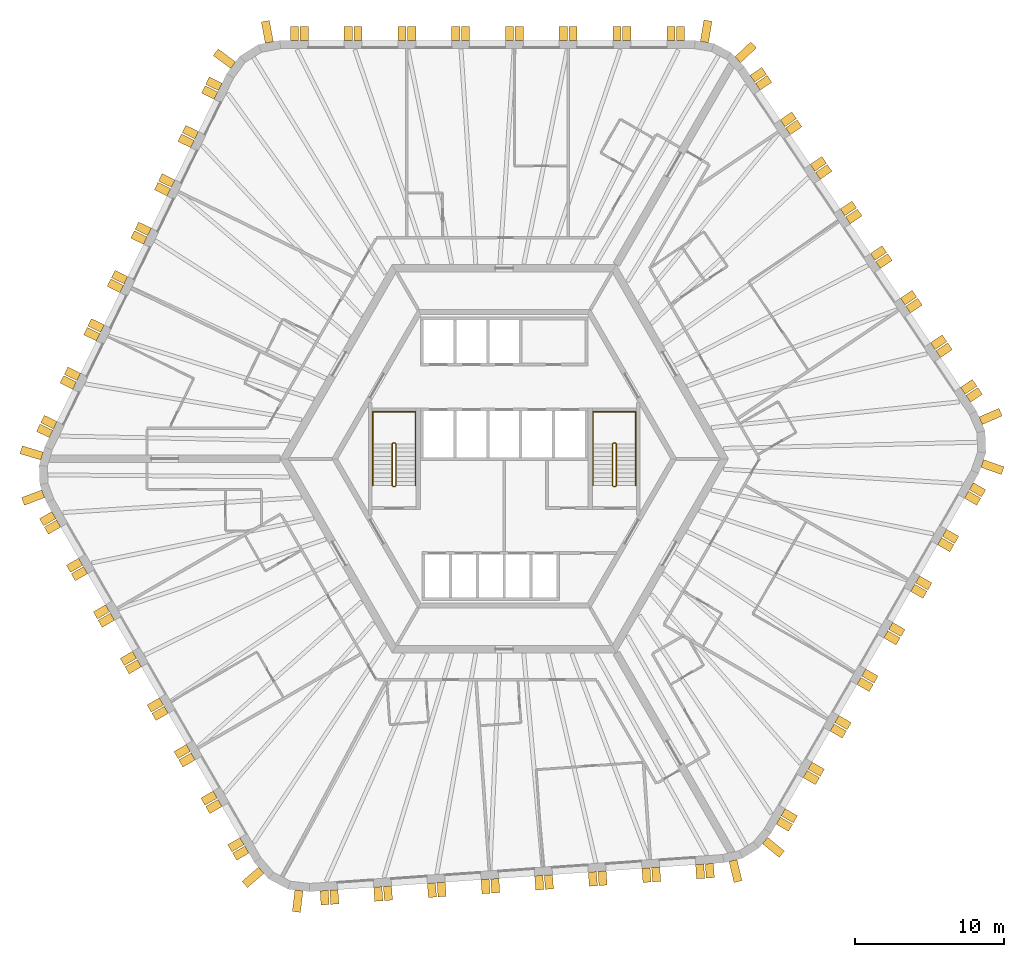
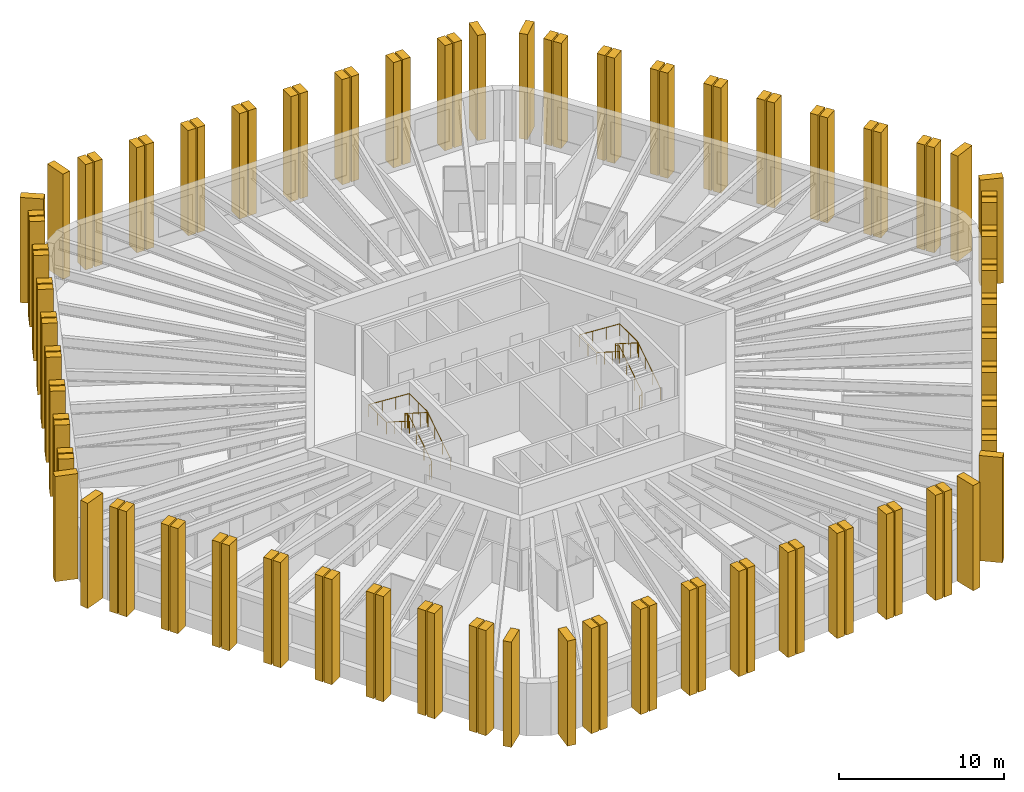
# One storey, part 10 of 10: 108 shading devices, 4 railings.
"""IFC4 building model written with IfcOpenShell, lengths in metres."""

from ifc_helpers import new_model, si_unit, direction, frame, origin, origin_2d, place, context, subcontext, project, spatial, polyline, circle, outline, extrude, material, layer, layer_set, type_object, element, save


model = new_model("IFC4")

# Units and contexts
model_context = context("Model", 3, precision=1e-05, world=origin(), true_north=direction((0.0, 1.0)))
body_context = subcontext(model_context, "Body", "Model", "MODEL_VIEW")
ifc_project = project(units=[si_unit("LENGTHUNIT", "METRE"), si_unit("AREAUNIT", "SQUARE_METRE"), si_unit("VOLUMEUNIT", "CUBIC_METRE"), si_unit("PLANEANGLEUNIT", "RADIAN"), si_unit("MASSUNIT", "GRAM", prefix="KILO")], contexts=[model_context])

# Site, building, storey
site_placement = place(None, origin())
site = spatial("IfcSite", under=ifc_project, at=site_placement, CompositionType="ELEMENT")
building_placement = place(site_placement, origin())
building = spatial("IfcBuilding", under=site, at=building_placement, Name="Tarnside Tower", CompositionType="ELEMENT")
storey_placement = place(building_placement, frame((0.0, 0.0, 176.10009765625)))
storey = spatial("IfcBuildingStorey", under=building, at=storey_placement, Name="L41", CompositionType="ELEMENT", Elevation=176.10009765625)

# Shading devices
ifc_material_1 = material(Name="Concrete C50/60 white precast", Category="concrete")
ifc_layer_1 = layer(ifc_material_1, 0.550048828125)
ifc_layer_set_1 = layer_set([ifc_layer_1], Name="Precast fin 550 x 1450")
shading_device_type_1 = type_object("IfcShadingDeviceType", Name="Precast fin 550 x 1450", PredefinedType="USERDEFINED", material=ifc_layer_set_1)
for number, where, z_axis, x_axis, name in (
    (1, (-15.725341796875, 27.86767578125, -0.150146484375), (0.982720646705, 0.18509492305, 0.0), (-0.18509492305, 0.982720646705, 0.0), "Precast fin"),
    (2, (-18.15380859375, 26.35009765625, -0.150146484375), (0.597158591707, 0.802123192752, 0.0), (-0.802123192752, 0.597158591707, 0.0), "Precast fin"),
    (3, (-30.949951171875, 0.184326171875, -0.150146484375), (0.286803232717, 0.957989512314, 0.0), (-0.957989512314, 0.286803232717, 0.0), "Precast fin"),
    (4, (-30.861572265625, -2.343017578125, -0.150146484375), (-0.352930564719, 0.935649515837, 0.0), (-0.935649515837, -0.352930564719, 0.0), "Precast fin"),
    (5, (-16.271484375, -27.55224609375, -0.150146484375), (-0.651657228826, 0.758513583345, 0.0), (-0.758513583345, -0.651657228826, 0.0), "Precast fin"),
    (6, (-13.7431640625, -28.896728515625, -0.150146484375), (-0.993238357741, 0.116092914131, 0.0), (-0.116092914131, -0.993238357741, 0.0), "Precast fin"),
    (7, (15.315185546875, -26.8955078125, -0.150146484375), (-0.973044870581, -0.230615870737, 0.0), (0.230615870737, -0.973044870581, 0.0), "Precast fin"),
    (8, (17.4599609375, -25.555419921875, -0.150146484375), (-0.633830967394, -0.773471592738, 0.0), (0.773471592738, -0.633830967394, 0.0), "Precast fin"),
    (9, (31.996826171875, -0.315185546875, -0.150146484375), (-0.331063417879, -0.943608506396, 0.0), (0.943608506396, -0.331063417879, 0.0), "Precast fin"),
    (10, (31.896728515625, 2.54638671875, -0.150146484375), (0.396079766034, -0.918216106883, 0.0), (0.918216106883, 0.396079766034, 0.0), "Precast fin"),
    (11, (15.634765625, 26.711181640625, -0.150146484375), (0.686241637865, -0.727373641577, 0.0), (0.727373641577, 0.686241637865, 0.0), "Precast fin"),
    (12, (13.40185546875, 27.8984375, -0.150146484375), (0.986761532114, -0.1621779231, 0.0), (0.1621779231, 0.986761532114, 0.0), "Precast fin"),
):
    element("IfcShadingDevice", number, at=place(storey_placement, frame(where, z_axis=z_axis, x_axis=x_axis)), inside=storey, type_object=shading_device_type_1, Name=name, ObjectType="FIN", PredefinedType="USERDEFINED", context=body_context, shape_type="SweptSolid", body=[
        extrude(outline(polyline([(0.0, 0.0), (1.449951171875, 0.0), (1.449951171875, 7.800048828125), (0.0, 7.800048828125), (0.0, 0.0)])), frame((0.0, 0.0, -0.27490234375)), (0.0, 0.0, 1.0), 0.550048828125),
    ])
ifc_layer_2 = layer(ifc_material_1, 0.550048828125)
ifc_layer_set_2 = layer_set([ifc_layer_2], Name="Precast fin 550 x 950")
shading_device_type_2 = type_object("IfcShadingDeviceType", Name="Precast fin 550 x 950", PredefinedType="USERDEFINED", material=ifc_layer_set_2)
for number, where, z_axis, x_axis, name in (
    (13, (11.80712890625, 28.0, -0.150146484375), (1.0, 0.0, 0.0), (0.0, 1.0, 0.0), "Precast fin"),
    (14, (11.1572265625, 28.0, -0.150146484375), (1.0, 0.0, 0.0), (0.0, 1.0, 0.0), "Precast fin"),
    (15, (8.20703125, 28.0, -0.150146484375), (1.0, 0.0, 0.0), (0.0, 1.0, 0.0), "Precast fin"),
    (16, (7.55712890625, 28.0, -0.150146484375), (1.0, 0.0, 0.0), (0.0, 1.0, 0.0), "Precast fin"),
    (17, (4.607177734375, 28.0, -0.150146484375), (1.0, 0.0, 0.0), (0.0, 1.0, 0.0), "Precast fin"),
    (18, (3.95703125, 28.0, -0.150146484375), (1.0, 0.0, 0.0), (0.0, 1.0, 0.0), "Precast fin"),
    (19, (1.007080078125, 28.0, -0.150146484375), (1.0, 0.0, 0.0), (0.0, 1.0, 0.0), "Precast fin"),
    (20, (0.357177734375, 28.0, -0.150146484375), (1.0, 0.0, 0.0), (0.0, 1.0, 0.0), "Precast fin"),
    (21, (-2.5927734375, 28.0, -0.150146484375), (1.0, 0.0, 0.0), (0.0, 1.0, 0.0), "Precast fin"),
    (22, (-3.242919921875, 28.0, -0.150146484375), (1.0, 0.0, 0.0), (0.0, 1.0, 0.0), "Precast fin"),
    (23, (-6.19287109375, 28.0, -0.150146484375), (1.0, 0.0, 0.0), (0.0, 1.0, 0.0), "Precast fin"),
    (24, (-6.8427734375, 28.0, -0.150146484375), (1.0, 0.0, 0.0), (0.0, 1.0, 0.0), "Precast fin"),
    (25, (-9.79296875, 28.0, -0.150146484375), (1.0, 0.0, 0.0), (0.0, 1.0, 0.0), "Precast fin"),
    (26, (-10.44287109375, 28.0, -0.150146484375), (1.0, 0.0, 0.0), (0.0, 1.0, 0.0), "Precast fin"),
    (27, (-13.392822265625, 28.0, -0.150146484375), (1.0, 0.0, 0.0), (0.0, 1.0, 0.0), "Precast fin"),
    (28, (-14.04296875, 28.0, -0.150146484375), (1.0, 0.0, 0.0), (0.0, 1.0, 0.0), "Precast fin"),
    (29, (-19.01025390625, 24.896240234375, -0.150146484375), (0.438371146789, 0.898794046299, 0.0), (-0.898794046299, 0.438371146789, 0.0), "Precast fin"),
    (30, (-19.295166015625, 24.31201171875, -0.150146484375), (0.438371146789, 0.898794046299, 0.0), (-0.898794046299, 0.438371146789, 0.0), "Precast fin"),
    (31, (-20.58837890625, 21.660400390625, -0.150146484375), (0.438371146789, 0.898794046299, 0.0), (-0.898794046299, 0.438371146789, 0.0), "Precast fin"),
    (32, (-20.873291015625, 21.076171875, -0.150146484375), (0.438371146789, 0.898794046299, 0.0), (-0.898794046299, 0.438371146789, 0.0), "Precast fin"),
    (33, (-22.16650390625, 18.4248046875, -0.150146484375), (0.438371146789, 0.898794046299, 0.0), (-0.898794046299, 0.438371146789, 0.0), "Precast fin"),
    (34, (-22.451416015625, 17.840576171875, -0.150146484375), (0.438371146789, 0.898794046299, 0.0), (-0.898794046299, 0.438371146789, 0.0), "Precast fin"),
    (35, (-23.74462890625, 15.189208984375, -0.150146484375), (0.438371146789, 0.898794046299, 0.0), (-0.898794046299, 0.438371146789, 0.0), "Precast fin"),
    (36, (-24.029541015625, 14.60498046875, -0.150146484375), (0.438371146789, 0.898794046299, 0.0), (-0.898794046299, 0.438371146789, 0.0), "Precast fin"),
    (37, (-25.32275390625, 11.953369140625, -0.150146484375), (0.438371146789, 0.898794046299, 0.0), (-0.898794046299, 0.438371146789, 0.0), "Precast fin"),
    (38, (-25.607666015625, 11.369384765625, -0.150146484375), (0.438371146789, 0.898794046299, 0.0), (-0.898794046299, 0.438371146789, 0.0), "Precast fin"),
    (39, (-26.90087890625, 8.7177734375, -0.150146484375), (0.438371146789, 0.898794046299, 0.0), (-0.898794046299, 0.438371146789, 0.0), "Precast fin"),
    (40, (-27.185791015625, 8.133544921875, -0.150146484375), (0.438371146789, 0.898794046299, 0.0), (-0.898794046299, 0.438371146789, 0.0), "Precast fin"),
    (41, (-28.47900390625, 5.482177734375, -0.150146484375), (0.438371146789, 0.898794046299, 0.0), (-0.898794046299, 0.438371146789, 0.0), "Precast fin"),
    (42, (-28.763916015625, 4.89794921875, -0.150146484375), (0.438371146789, 0.898794046299, 0.0), (-0.898794046299, 0.438371146789, 0.0), "Precast fin"),
    (43, (-30.05712890625, 2.24658203125, -0.150146484375), (0.438371146789, 0.898794046299, 0.0), (-0.898794046299, 0.438371146789, 0.0), "Precast fin"),
    (44, (-30.342041015625, 1.662353515625, -0.150146484375), (0.438371146789, 0.898794046299, 0.0), (-0.898794046299, 0.438371146789, 0.0), "Precast fin"),
    (45, (-30.15234375, -3.774658203125, -0.150146484375), (-0.5, 0.866025403784, 0.0), (-0.866025403784, -0.5, 0.0), "Precast fin"),
    (46, (-29.827392578125, -4.337646484375, -0.150146484375), (-0.5, 0.866025403784, 0.0), (-0.866025403784, -0.5, 0.0), "Precast fin"),
    (47, (-28.352294921875, -6.892333984375, -0.150146484375), (-0.5, 0.866025403784, 0.0), (-0.866025403784, -0.5, 0.0), "Precast fin"),
    (48, (-28.02734375, -7.455322265625, -0.150146484375), (-0.5, 0.866025403784, 0.0), (-0.866025403784, -0.5, 0.0), "Precast fin"),
    (49, (-26.55224609375, -10.010009765625, -0.150146484375), (-0.5, 0.866025403784, 0.0), (-0.866025403784, -0.5, 0.0), "Precast fin"),
    (50, (-26.227294921875, -10.572998046875, -0.150146484375), (-0.5, 0.866025403784, 0.0), (-0.866025403784, -0.5, 0.0), "Precast fin"),
    (51, (-24.752197265625, -13.127685546875, -0.150146484375), (-0.5, 0.866025403784, 0.0), (-0.866025403784, -0.5, 0.0), "Precast fin"),
    (52, (-24.42724609375, -13.690673828125, -0.150146484375), (-0.5, 0.866025403784, 0.0), (-0.866025403784, -0.5, 0.0), "Precast fin"),
    (53, (-22.952392578125, -16.24560546875, -0.150146484375), (-0.5, 0.866025403784, 0.0), (-0.866025403784, -0.5, 0.0), "Precast fin"),
    (54, (-22.627197265625, -16.808349609375, -0.150146484375), (-0.5, 0.866025403784, 0.0), (-0.866025403784, -0.5, 0.0), "Precast fin"),
    (55, (-21.15234375, -19.36328125, -0.150146484375), (-0.5, 0.866025403784, 0.0), (-0.866025403784, -0.5, 0.0), "Precast fin"),
    (56, (-20.827392578125, -19.926025390625, -0.150146484375), (-0.5, 0.866025403784, 0.0), (-0.866025403784, -0.5, 0.0), "Precast fin"),
    (57, (-19.352294921875, -22.48095703125, -0.150146484375), (-0.5, 0.866025403784, 0.0), (-0.866025403784, -0.5, 0.0), "Precast fin"),
    (58, (-19.02734375, -23.043701171875, -0.150146484375), (-0.5, 0.866025403784, 0.0), (-0.866025403784, -0.5, 0.0), "Precast fin"),
    (59, (-17.55224609375, -25.5986328125, -0.150146484375), (-0.5, 0.866025403784, 0.0), (-0.866025403784, -0.5, 0.0), "Precast fin"),
    (60, (-17.227294921875, -26.161376953125, -0.150146484375), (-0.5, 0.866025403784, 0.0), (-0.866025403784, -0.5, 0.0), "Precast fin"),
    (61, (-12.0556640625, -28.911376953125, -0.150146484375), (-0.99756405026, -0.069756473744, 0.0), (0.069756473744, -0.99756405026, 0.0), "Precast fin"),
    (62, (-11.4072265625, -28.865966796875, -0.150146484375), (-0.99756405026, -0.069756473744, 0.0), (0.069756473744, -0.99756405026, 0.0), "Precast fin"),
    (63, (-8.46435546875, -28.66015625, -0.150146484375), (-0.99756405026, -0.069756473744, 0.0), (0.069756473744, -0.99756405026, 0.0), "Precast fin"),
    (64, (-7.81591796875, -28.614990234375, -0.150146484375), (-0.99756405026, -0.069756473744, 0.0), (0.069756473744, -0.99756405026, 0.0), "Precast fin"),
    (65, (-4.873046875, -28.4091796875, -0.150146484375), (-0.99756405026, -0.069756473744, 0.0), (0.069756473744, -0.99756405026, 0.0), "Precast fin"),
    (66, (-4.224609375, -28.36376953125, -0.150146484375), (-0.99756405026, -0.069756473744, 0.0), (0.069756473744, -0.99756405026, 0.0), "Precast fin"),
    (67, (-1.281982421875, -28.157958984375, -0.150146484375), (-0.99756405026, -0.069756473744, 0.0), (0.069756473744, -0.99756405026, 0.0), "Precast fin"),
    (68, (-0.633544921875, -28.112548828125, -0.150146484375), (-0.99756405026, -0.069756473744, 0.0), (0.069756473744, -0.99756405026, 0.0), "Precast fin"),
    (69, (2.309326171875, -27.906982421875, -0.150146484375), (-0.99756405026, -0.069756473744, 0.0), (0.069756473744, -0.99756405026, 0.0), "Precast fin"),
    (70, (2.957763671875, -27.861572265625, -0.150146484375), (-0.99756405026, -0.069756473744, 0.0), (0.069756473744, -0.99756405026, 0.0), "Precast fin"),
    (71, (5.900634765625, -27.65576171875, -0.150146484375), (-0.99756405026, -0.069756473744, 0.0), (0.069756473744, -0.99756405026, 0.0), "Precast fin"),
    (72, (6.549072265625, -27.6103515625, -0.150146484375), (-0.99756405026, -0.069756473744, 0.0), (0.069756473744, -0.99756405026, 0.0), "Precast fin"),
    (73, (9.49169921875, -27.404541015625, -0.150146484375), (-0.99756405026, -0.069756473744, 0.0), (0.069756473744, -0.99756405026, 0.0), "Precast fin"),
    (74, (10.14013671875, -27.359375, -0.150146484375), (-0.99756405026, -0.069756473744, 0.0), (0.069756473744, -0.99756405026, 0.0), "Precast fin"),
    (75, (13.0830078125, -27.153564453125, -0.150146484375), (-0.99756405026, -0.069756473744, 0.0), (0.069756473744, -0.99756405026, 0.0), "Precast fin"),
    (76, (13.7314453125, -27.108154296875, -0.150146484375), (-0.99756405026, -0.069756473744, 0.0), (0.069756473744, -0.99756405026, 0.0), "Precast fin"),
    (77, (18.34521484375, -24.225341796875, -0.150146484375), (-0.5, -0.866025403784, 0.0), (0.866025403784, -0.5, 0.0), "Precast fin"),
    (78, (18.670166015625, -23.662353515625, -0.150146484375), (-0.5, -0.866025403784, 0.0), (0.866025403784, -0.5, 0.0), "Precast fin"),
    (79, (20.145263671875, -21.107666015625, -0.150146484375), (-0.5, -0.866025403784, 0.0), (0.866025403784, -0.5, 0.0), "Precast fin"),
    (80, (20.47021484375, -20.544677734375, -0.150146484375), (-0.5, -0.866025403784, 0.0), (0.866025403784, -0.5, 0.0), "Precast fin"),
    (81, (21.945068359375, -17.989990234375, -0.150146484375), (-0.5, -0.866025403784, 0.0), (0.866025403784, -0.5, 0.0), "Precast fin"),
    (82, (22.270263671875, -17.427001953125, -0.150146484375), (-0.5, -0.866025403784, 0.0), (0.866025403784, -0.5, 0.0), "Precast fin"),
    (83, (23.7451171875, -14.872314453125, -0.150146484375), (-0.5, -0.866025403784, 0.0), (0.866025403784, -0.5, 0.0), "Precast fin"),
    (84, (24.070068359375, -14.309326171875, -0.150146484375), (-0.5, -0.866025403784, 0.0), (0.866025403784, -0.5, 0.0), "Precast fin"),
    (85, (25.545166015625, -11.75439453125, -0.150146484375), (-0.5, -0.866025403784, 0.0), (0.866025403784, -0.5, 0.0), "Precast fin"),
    (86, (25.8701171875, -11.191650390625, -0.150146484375), (-0.5, -0.866025403784, 0.0), (0.866025403784, -0.5, 0.0), "Precast fin"),
    (87, (27.34521484375, -8.63671875, -0.150146484375), (-0.5, -0.866025403784, 0.0), (0.866025403784, -0.5, 0.0), "Precast fin"),
    (88, (27.670166015625, -8.073974609375, -0.150146484375), (-0.5, -0.866025403784, 0.0), (0.866025403784, -0.5, 0.0), "Precast fin"),
    (89, (29.145263671875, -5.51904296875, -0.150146484375), (-0.5, -0.866025403784, 0.0), (0.866025403784, -0.5, 0.0), "Precast fin"),
    (90, (29.47021484375, -4.956298828125, -0.150146484375), (-0.5, -0.866025403784, 0.0), (0.866025403784, -0.5, 0.0), "Precast fin"),
    (91, (30.945068359375, -2.4013671875, -0.150146484375), (-0.5, -0.866025403784, 0.0), (0.866025403784, -0.5, 0.0), "Precast fin"),
    (92, (31.270263671875, -1.838623046875, -0.150146484375), (-0.5, -0.866025403784, 0.0), (0.866025403784, -0.5, 0.0), "Precast fin"),
    (93, (31.065673828125, 4.01513671875, -0.150146484375), (0.559192903471, -0.829037572555, 0.0), (0.829037572555, 0.559192903471, 0.0), "Precast fin"),
    (94, (30.702392578125, 4.55419921875, -0.150146484375), (0.559192903471, -0.829037572555, 0.0), (0.829037572555, 0.559192903471, 0.0), "Precast fin"),
    (95, (29.052734375, 6.999755859375, -0.150146484375), (0.559192903471, -0.829037572555, 0.0), (0.829037572555, 0.559192903471, 0.0), "Precast fin"),
    (96, (28.689208984375, 7.53857421875, -0.150146484375), (0.559192903471, -0.829037572555, 0.0), (0.829037572555, 0.559192903471, 0.0), "Precast fin"),
    (97, (27.03955078125, 9.984375, -0.150146484375), (0.559192903471, -0.829037572555, 0.0), (0.829037572555, 0.559192903471, 0.0), "Precast fin"),
    (98, (26.676025390625, 10.523193359375, -0.150146484375), (0.559192903471, -0.829037572555, 0.0), (0.829037572555, 0.559192903471, 0.0), "Precast fin"),
    (99, (25.026611328125, 12.96875, -0.150146484375), (0.559192903471, -0.829037572555, 0.0), (0.829037572555, 0.559192903471, 0.0), "Precast fin"),
    (100, (24.6630859375, 13.5078125, -0.150146484375), (0.559192903471, -0.829037572555, 0.0), (0.829037572555, 0.559192903471, 0.0), "Precast fin"),
    (101, (23.013427734375, 15.953369140625, -0.150146484375), (0.559192903471, -0.829037572555, 0.0), (0.829037572555, 0.559192903471, 0.0), "Precast fin"),
    (102, (22.64990234375, 16.4921875, -0.150146484375), (0.559192903471, -0.829037572555, 0.0), (0.829037572555, 0.559192903471, 0.0), "Precast fin"),
    (103, (21.000244140625, 18.93798828125, -0.150146484375), (0.559192903471, -0.829037572555, 0.0), (0.829037572555, 0.559192903471, 0.0), "Precast fin"),
    (104, (20.63671875, 19.476806640625, -0.150146484375), (0.559192903471, -0.829037572555, 0.0), (0.829037572555, 0.559192903471, 0.0), "Precast fin"),
    (105, (18.9873046875, 21.92236328125, -0.150146484375), (0.559192903471, -0.829037572555, 0.0), (0.829037572555, 0.559192903471, 0.0), "Precast fin"),
    (106, (18.623779296875, 22.46142578125, -0.150146484375), (0.559192903471, -0.829037572555, 0.0), (0.829037572555, 0.559192903471, 0.0), "Precast fin"),
    (107, (16.97412109375, 24.906982421875, -0.150146484375), (0.559192903471, -0.829037572555, 0.0), (0.829037572555, 0.559192903471, 0.0), "Precast fin"),
    (108, (16.610595703125, 25.44580078125, -0.150146484375), (0.559192903471, -0.829037572555, 0.0), (0.829037572555, 0.559192903471, 0.0), "Precast fin"),
):
    element("IfcShadingDevice", number, at=place(storey_placement, frame(where, z_axis=z_axis, x_axis=x_axis)), inside=storey, type_object=shading_device_type_2, Name=name, ObjectType="FIN", PredefinedType="USERDEFINED", context=body_context, shape_type="SweptSolid", body=[
        extrude(outline(polyline([(0.0, 0.0), (0.949951171875, 0.0), (0.949951171875, 7.800048828125), (0.0, 7.800048828125), (0.0, 0.0)])), frame((0.0, 0.0, -0.27490234375)), (0.0, 0.0, 1.0), 0.550048828125),
    ])

# Railings
ifc_material_2 = material(Name="Stainless steel", Category="steel")
railing_type_1 = type_object("IfcRailingType", Name="Stair guard 1100", PredefinedType="GUARDRAIL", material=ifc_material_2)
railing_1_placement = place(storey_placement, frame((7.300048828125, -1.85009765625, 0.0)))
element("IfcRailing", 109, at=railing_1_placement, inside=storey, type_object=railing_type_1, Name="L41 ST1 stair guard 1", PredefinedType="GUARDRAIL", context=body_context, shape_type="SweptSolid", body=[
    extrude(circle(Radius=0.02392578125, at=origin_2d()), frame((0.0, 0.0, 1.076171875), z_axis=(1.0, 0.0, 0.0), x_axis=(0.0, 1.0, 0.0)), (0.0, 0.0, 1.0), 0.14990234375),
    extrude(circle(Radius=0.02392578125, at=origin_2d()), frame((0.14990234375, 0.0, 1.076171875), z_axis=(0.262233686654, 0.262233686654, 0.928691007369), x_axis=(-0.707106781187, 0.707106781187, 0.0)), (0.0, 0.0, 1.0), 0.19091796875),
    extrude(circle(Radius=0.02392578125, at=origin_2d()), frame((0.199951171875, 0.050048828125, 1.25341796875), z_axis=(0.0, 0.844908973607, 0.534910110503), x_axis=(-1.0, 0.0, 0.0)), (0.0, 0.0, 1.0), 3.31396484375),
    extrude(circle(Radius=0.02392578125, at=origin_2d()), frame((0.199951171875, 2.85009765625, 3.02587890625), z_axis=(-0.707106781187, 0.707106781187, 0.0), x_axis=(-0.707106781187, -0.707106781187, 0.0)), (0.0, 0.0, 1.0), 0.07080078125),
    extrude(circle(Radius=0.02392578125, at=origin_2d()), frame((0.14990234375, 2.900146484375, 3.02587890625), z_axis=(-1.0, 0.0, 0.0), x_axis=(0.0, -1.0, 0.0)), (0.0, 0.0, 1.0), 0.14990234375),
    extrude(circle(Radius=0.02392578125, at=origin_2d()), frame((0.0, 2.900146484375, 3.02587890625), z_axis=(-0.262233686654, -0.262233686654, 0.928691007369), x_axis=(0.707106781187, -0.707106781187, 0.0)), (0.0, 0.0, 1.0), 0.19091796875),
    extrude(circle(Radius=0.02392578125, at=origin_2d()), frame((-0.050048828125, 2.85009765625, 3.203125), z_axis=(0.0, -0.844908973607, 0.534910110503), x_axis=(1.0, 0.0, 0.0)), (0.0, 0.0, 1.0), 3.31396484375),
    extrude(circle(Radius=0.02099609375, at=origin_2d()), origin(), (0.0, 0.0, 1.0), 1.052001953125),
    extrude(circle(Radius=0.02099609375, at=origin_2d()), frame((0.14990234375, 0.0, 0.0)), (0.0, 0.0, 1.0), 1.052001953125),
    extrude(circle(Radius=0.02099609375, at=origin_2d()), frame((0.199951171875, 0.050048828125, 0.17724609375)), (0.0, 0.0, 1.0), 1.052001953125),
    extrude(circle(Radius=0.02099609375, at=origin_2d()), frame((0.199951171875, 0.9833984375, 0.76806640625)), (0.0, 0.0, 1.0), 1.052001953125),
    extrude(circle(Radius=0.02099609375, at=origin_2d()), frame((0.199951171875, 1.916748046875, 1.359130859375)), (0.0, 0.0, 1.0), 1.052001953125),
    extrude(circle(Radius=0.02099609375, at=origin_2d()), frame((0.199951171875, 2.85009765625, 1.949951171875)), (0.0, 0.0, 1.0), 1.052001953125),
    extrude(circle(Radius=0.02099609375, at=origin_2d()), frame((0.14990234375, 2.900146484375, 1.949951171875)), (0.0, 0.0, 1.0), 1.052001953125),
    extrude(circle(Radius=0.02099609375, at=origin_2d()), frame((0.0, 2.900146484375, 1.949951171875)), (0.0, 0.0, 1.0), 1.052001953125),
    extrude(circle(Radius=0.02099609375, at=origin_2d()), frame((-0.050048828125, 2.85009765625, 2.127197265625)), (0.0, 0.0, 1.0), 1.052001953125),
    extrude(circle(Radius=0.02099609375, at=origin_2d()), frame((-0.050048828125, 1.916748046875, 2.718017578125)), (0.0, 0.0, 1.0), 1.052001953125),
    extrude(circle(Radius=0.02099609375, at=origin_2d()), frame((-0.050048828125, 0.9833984375, 3.30908203125)), (0.0, 0.0, 1.0), 1.052001953125),
    extrude(circle(Radius=0.02099609375, at=origin_2d()), frame((-0.050048828125, 0.050048828125, 3.89990234375)), (0.0, 0.0, 1.0), 1.052001953125),
])
railing_2_placement = place(storey_placement, frame((-7.449951171875, -1.85009765625, 0.0)))
element("IfcRailing", 110, at=railing_2_placement, inside=storey, type_object=railing_type_1, Name="L41 ST2 stair guard 1", PredefinedType="GUARDRAIL", context=body_context, shape_type="SweptSolid", body=[
    extrude(circle(Radius=0.02392578125, at=origin_2d()), frame((0.0, 0.0, 1.076171875), z_axis=(1.0, 0.0, 0.0), x_axis=(0.0, 1.0, 0.0)), (0.0, 0.0, 1.0), 0.14990234375),
    extrude(circle(Radius=0.02392578125, at=origin_2d()), frame((0.14990234375, 0.0, 1.076171875), z_axis=(0.262233686654, 0.262233686654, 0.928691007369), x_axis=(-0.707106781187, 0.707106781187, 0.0)), (0.0, 0.0, 1.0), 0.19091796875),
    extrude(circle(Radius=0.02392578125, at=origin_2d()), frame((0.199951171875, 0.050048828125, 1.25341796875), z_axis=(0.0, 0.844908973607, 0.534910110503), x_axis=(-1.0, 0.0, 0.0)), (0.0, 0.0, 1.0), 3.31396484375),
    extrude(circle(Radius=0.02392578125, at=origin_2d()), frame((0.199951171875, 2.85009765625, 3.02587890625), z_axis=(-0.707106781187, 0.707106781187, 0.0), x_axis=(-0.707106781187, -0.707106781187, 0.0)), (0.0, 0.0, 1.0), 0.07080078125),
    extrude(circle(Radius=0.02392578125, at=origin_2d()), frame((0.14990234375, 2.900146484375, 3.02587890625), z_axis=(-1.0, 0.0, 0.0), x_axis=(0.0, -1.0, 0.0)), (0.0, 0.0, 1.0), 0.14990234375),
    extrude(circle(Radius=0.02392578125, at=origin_2d()), frame((0.0, 2.900146484375, 3.02587890625), z_axis=(-0.262233686654, -0.262233686654, 0.928691007369), x_axis=(0.707106781187, -0.707106781187, 0.0)), (0.0, 0.0, 1.0), 0.19091796875),
    extrude(circle(Radius=0.02392578125, at=origin_2d()), frame((-0.050048828125, 2.85009765625, 3.203125), z_axis=(0.0, -0.844908973607, 0.534910110503), x_axis=(1.0, 0.0, 0.0)), (0.0, 0.0, 1.0), 3.31396484375),
    extrude(circle(Radius=0.02099609375, at=origin_2d()), origin(), (0.0, 0.0, 1.0), 1.052001953125),
    extrude(circle(Radius=0.02099609375, at=origin_2d()), frame((0.14990234375, 0.0, 0.0)), (0.0, 0.0, 1.0), 1.052001953125),
    extrude(circle(Radius=0.02099609375, at=origin_2d()), frame((0.199951171875, 0.050048828125, 0.17724609375)), (0.0, 0.0, 1.0), 1.052001953125),
    extrude(circle(Radius=0.02099609375, at=origin_2d()), frame((0.199951171875, 0.9833984375, 0.76806640625)), (0.0, 0.0, 1.0), 1.052001953125),
    extrude(circle(Radius=0.02099609375, at=origin_2d()), frame((0.199951171875, 1.916748046875, 1.359130859375)), (0.0, 0.0, 1.0), 1.052001953125),
    extrude(circle(Radius=0.02099609375, at=origin_2d()), frame((0.199951171875, 2.85009765625, 1.949951171875)), (0.0, 0.0, 1.0), 1.052001953125),
    extrude(circle(Radius=0.02099609375, at=origin_2d()), frame((0.14990234375, 2.900146484375, 1.949951171875)), (0.0, 0.0, 1.0), 1.052001953125),
    extrude(circle(Radius=0.02099609375, at=origin_2d()), frame((0.0, 2.900146484375, 1.949951171875)), (0.0, 0.0, 1.0), 1.052001953125),
    extrude(circle(Radius=0.02099609375, at=origin_2d()), frame((-0.050048828125, 2.85009765625, 2.127197265625)), (0.0, 0.0, 1.0), 1.052001953125),
    extrude(circle(Radius=0.02099609375, at=origin_2d()), frame((-0.050048828125, 1.916748046875, 2.718017578125)), (0.0, 0.0, 1.0), 1.052001953125),
    extrude(circle(Radius=0.02099609375, at=origin_2d()), frame((-0.050048828125, 0.9833984375, 3.30908203125)), (0.0, 0.0, 1.0), 1.052001953125),
    extrude(circle(Radius=0.02099609375, at=origin_2d()), frame((-0.050048828125, 0.050048828125, 3.89990234375)), (0.0, 0.0, 1.0), 1.052001953125),
])
railing_type_2 = type_object("IfcRailingType", Name="Stair handrail 900", PredefinedType="HANDRAIL", material=ifc_material_2)
railing_3_placement = place(storey_placement, frame((8.800048828125, -1.800048828125, 0.17724609375)))
element("IfcRailing", 111, at=railing_3_placement, inside=storey, type_object=railing_type_2, Name="L41 ST1 stair handrail 1", PredefinedType="HANDRAIL", context=body_context, shape_type="SweptSolid", body=[
    extrude(circle(Radius=0.02392578125, at=origin_2d()), frame((0.0, 0.0, 0.8857421875), z_axis=(0.0, 0.844908973607, 0.534910110503), x_axis=(-1.0, 0.0, 0.0)), (0.0, 0.0, 1.0), 3.31396484375),
    extrude(circle(Radius=0.02392578125, at=origin_2d()), frame((0.0, 2.800048828125, 2.65869140625), z_axis=(0.0, 1.0, 0.0), x_axis=(-1.0, 0.0, 0.0)), (0.0, 0.0, 1.0), 2.14990234375),
    extrude(circle(Radius=0.02392578125, at=origin_2d()), frame((0.0, 4.949951171875, 2.65869140625), z_axis=(-0.998071825391, 0.0, 0.06206956872), x_axis=(0.0, -1.0, 0.0)), (0.0, 0.0, 1.0), 2.855712890625),
    extrude(circle(Radius=0.02392578125, at=origin_2d()), frame((-2.85009765625, 4.949951171875, 2.8359375), z_axis=(0.0, -1.0, 0.0), x_axis=(1.0, 0.0, 0.0)), (0.0, 0.0, 1.0), 2.14990234375),
    extrude(circle(Radius=0.02392578125, at=origin_2d()), frame((-2.85009765625, 2.800048828125, 2.8359375), z_axis=(0.0, -0.844908973607, 0.534910110503), x_axis=(1.0, 0.0, 0.0)), (0.0, 0.0, 1.0), 3.31396484375),
    extrude(circle(Radius=0.02099609375, at=origin_2d()), origin(), (0.0, 0.0, 1.0), 0.86181640625),
    extrude(circle(Radius=0.02099609375, at=origin_2d()), frame((0.0, 0.933349609375, 0.5908203125)), (0.0, 0.0, 1.0), 0.86181640625),
    extrude(circle(Radius=0.02099609375, at=origin_2d()), frame((0.0, 1.86669921875, 1.181884765625)), (0.0, 0.0, 1.0), 0.86181640625),
    extrude(circle(Radius=0.02099609375, at=origin_2d()), frame((0.0, 2.800048828125, 1.772705078125)), (0.0, 0.0, 1.0), 0.86181640625),
    extrude(circle(Radius=0.02099609375, at=origin_2d()), frame((0.0, 3.875, 1.772705078125)), (0.0, 0.0, 1.0), 0.86181640625),
    extrude(circle(Radius=0.02099609375, at=origin_2d()), frame((0.0, 4.949951171875, 1.772705078125)), (0.0, 0.0, 1.0), 0.86181640625),
    extrude(circle(Radius=0.02099609375, at=origin_2d()), frame((-0.949951171875, 4.949951171875, 1.831787109375)), (0.0, 0.0, 1.0), 0.86181640625),
    extrude(circle(Radius=0.02099609375, at=origin_2d()), frame((-1.900146484375, 4.949951171875, 1.890869140625)), (0.0, 0.0, 1.0), 0.86181640625),
    extrude(circle(Radius=0.02099609375, at=origin_2d()), frame((-2.85009765625, 4.949951171875, 1.949951171875)), (0.0, 0.0, 1.0), 0.86181640625),
    extrude(circle(Radius=0.02099609375, at=origin_2d()), frame((-2.85009765625, 3.875, 1.949951171875)), (0.0, 0.0, 1.0), 0.86181640625),
    extrude(circle(Radius=0.02099609375, at=origin_2d()), frame((-2.85009765625, 2.800048828125, 1.949951171875)), (0.0, 0.0, 1.0), 0.86181640625),
    extrude(circle(Radius=0.02099609375, at=origin_2d()), frame((-2.85009765625, 1.86669921875, 2.540771484375)), (0.0, 0.0, 1.0), 0.86181640625),
    extrude(circle(Radius=0.02099609375, at=origin_2d()), frame((-2.85009765625, 0.933349609375, 3.1318359375)), (0.0, 0.0, 1.0), 0.86181640625),
    extrude(circle(Radius=0.02099609375, at=origin_2d()), frame((-2.85009765625, 0.0, 3.72265625)), (0.0, 0.0, 1.0), 0.86181640625),
])
railing_4_placement = place(storey_placement, frame((-5.949951171875, -1.800048828125, 0.17724609375)))
element("IfcRailing", 112, at=railing_4_placement, inside=storey, type_object=railing_type_2, Name="L41 ST2 stair handrail 1", PredefinedType="HANDRAIL", context=body_context, shape_type="SweptSolid", body=[
    extrude(circle(Radius=0.02392578125, at=origin_2d()), frame((0.0, 0.0, 0.8857421875), z_axis=(0.0, 0.844908973607, 0.534910110503), x_axis=(-1.0, 0.0, 0.0)), (0.0, 0.0, 1.0), 3.31396484375),
    extrude(circle(Radius=0.02392578125, at=origin_2d()), frame((0.0, 2.800048828125, 2.65869140625), z_axis=(0.0, 1.0, 0.0), x_axis=(-1.0, 0.0, 0.0)), (0.0, 0.0, 1.0), 2.14990234375),
    extrude(circle(Radius=0.02392578125, at=origin_2d()), frame((0.0, 4.949951171875, 2.65869140625), z_axis=(-0.998071825391, 0.0, 0.06206956872), x_axis=(0.0, -1.0, 0.0)), (0.0, 0.0, 1.0), 2.855712890625),
    extrude(circle(Radius=0.02392578125, at=origin_2d()), frame((-2.85009765625, 4.949951171875, 2.8359375), z_axis=(0.0, -1.0, 0.0), x_axis=(1.0, 0.0, 0.0)), (0.0, 0.0, 1.0), 2.14990234375),
    extrude(circle(Radius=0.02392578125, at=origin_2d()), frame((-2.85009765625, 2.800048828125, 2.8359375), z_axis=(0.0, -0.844908973607, 0.534910110503), x_axis=(1.0, 0.0, 0.0)), (0.0, 0.0, 1.0), 3.31396484375),
    extrude(circle(Radius=0.02099609375, at=origin_2d()), origin(), (0.0, 0.0, 1.0), 0.86181640625),
    extrude(circle(Radius=0.02099609375, at=origin_2d()), frame((0.0, 0.933349609375, 0.5908203125)), (0.0, 0.0, 1.0), 0.86181640625),
    extrude(circle(Radius=0.02099609375, at=origin_2d()), frame((0.0, 1.86669921875, 1.181884765625)), (0.0, 0.0, 1.0), 0.86181640625),
    extrude(circle(Radius=0.02099609375, at=origin_2d()), frame((0.0, 2.800048828125, 1.772705078125)), (0.0, 0.0, 1.0), 0.86181640625),
    extrude(circle(Radius=0.02099609375, at=origin_2d()), frame((0.0, 3.875, 1.772705078125)), (0.0, 0.0, 1.0), 0.86181640625),
    extrude(circle(Radius=0.02099609375, at=origin_2d()), frame((0.0, 4.949951171875, 1.772705078125)), (0.0, 0.0, 1.0), 0.86181640625),
    extrude(circle(Radius=0.02099609375, at=origin_2d()), frame((-0.949951171875, 4.949951171875, 1.831787109375)), (0.0, 0.0, 1.0), 0.86181640625),
    extrude(circle(Radius=0.02099609375, at=origin_2d()), frame((-1.900146484375, 4.949951171875, 1.890869140625)), (0.0, 0.0, 1.0), 0.86181640625),
    extrude(circle(Radius=0.02099609375, at=origin_2d()), frame((-2.85009765625, 4.949951171875, 1.949951171875)), (0.0, 0.0, 1.0), 0.86181640625),
    extrude(circle(Radius=0.02099609375, at=origin_2d()), frame((-2.85009765625, 3.875, 1.949951171875)), (0.0, 0.0, 1.0), 0.86181640625),
    extrude(circle(Radius=0.02099609375, at=origin_2d()), frame((-2.85009765625, 2.800048828125, 1.949951171875)), (0.0, 0.0, 1.0), 0.86181640625),
    extrude(circle(Radius=0.02099609375, at=origin_2d()), frame((-2.85009765625, 1.86669921875, 2.540771484375)), (0.0, 0.0, 1.0), 0.86181640625),
    extrude(circle(Radius=0.02099609375, at=origin_2d()), frame((-2.85009765625, 0.933349609375, 3.1318359375)), (0.0, 0.0, 1.0), 0.86181640625),
    extrude(circle(Radius=0.02099609375, at=origin_2d()), frame((-2.85009765625, 0.0, 3.72265625)), (0.0, 0.0, 1.0), 0.86181640625),
])

save(model, "model.ifc")
